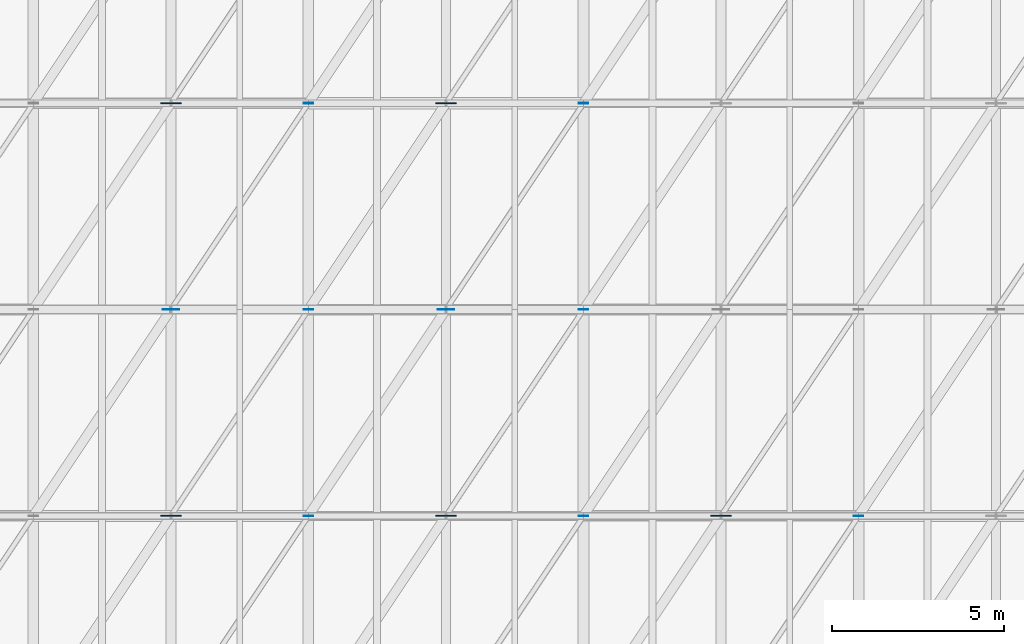
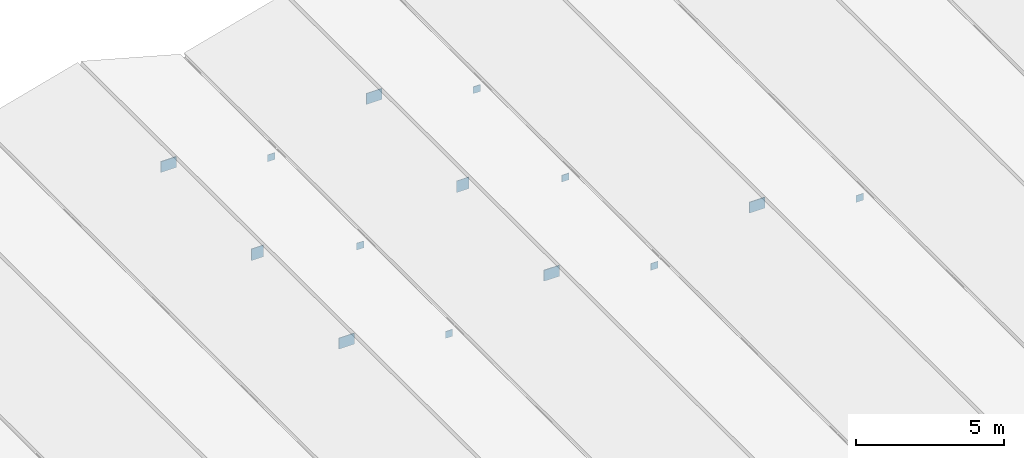
# One storey, part 21 of 27: 14 plates.
"""IFC4 building model written with IfcOpenShell, lengths in metres."""

from ifc_helpers import new_model, si_unit, direction, frame, origin, origin_2d, place, context, subcontext, project, spatial, rectangle, extrude, material, layer, layer_set, type_object, element, save


model = new_model("IFC4")

# Units and contexts
model_context = context("Model", 3, precision=1e-05, world=origin(), true_north=direction((0.0, 1.0)))
body_context = subcontext(model_context, "Body", "Model", "MODEL_VIEW")
ifc_project = project(units=[si_unit("LENGTHUNIT", "METRE"), si_unit("AREAUNIT", "SQUARE_METRE"), si_unit("VOLUMEUNIT", "CUBIC_METRE"), si_unit("PLANEANGLEUNIT", "RADIAN"), si_unit("MASSUNIT", "GRAM", prefix="KILO")], contexts=[model_context])

# Site, building, storey
site_placement = place(None, origin())
site = spatial("IfcSite", under=ifc_project, at=site_placement, CompositionType="ELEMENT")
building_placement = place(site_placement, origin())
building = spatial("IfcBuilding", under=site, at=building_placement, Name="Verrall Gate Interchange", CompositionType="ELEMENT")
storey_placement = place(building_placement, frame((0.0, 0.0, 32.800048828125)))
storey = spatial("IfcBuildingStorey", under=building, at=storey_placement, Name="RF", CompositionType="ELEMENT", Elevation=32.800048828125)

# Plates
ifc_material_1 = material(Name="Structural Steel CSA G40.21 350WT Cat 4", Category="steel")
ifc_layer_1 = layer(ifc_material_1, 0.02001953125)
ifc_layer_set_1 = layer_set([ifc_layer_1], Name="Structural Steel CSA G40.21 350WT Cat 4")
plate_type_1 = type_object("IfcPlateType", Name="GP-01 Gusset Plate 20", PredefinedType="SHEET", material=ifc_layer_set_1)
plate_1_placement = place(storey_placement, frame((72.0, 36.0, -15.9482421875), z_axis=(0.0, 0.0, 1.0), x_axis=(1.0, 0.0, 0.0)))
element("IfcPlate", 1, at=plate_1_placement, inside=storey, type_object=plate_type_1, Name="Folded-Plate Ridge Gusset Node KN-R5-4", PredefinedType="SHEET", context=body_context, shape_type="SweptSolid", body=[
    extrude(rectangle(XDim=0.47998046875, YDim=0.02001953125, at=origin_2d()), origin(), (0.0, 0.0, 1.0), 0.47998046875),
])
plate_2_placement = place(storey_placement, frame((76.0, 30.0, -16.9482421875), z_axis=(0.0, 0.0, 1.0), x_axis=(1.0, 0.0, 0.0)))
element("IfcPlate", 2, at=plate_2_placement, inside=storey, type_object=plate_type_1, Name="Folded-Plate Valley Gusset Node KN-V6-0-3", PredefinedType="SHEET", context=body_context, shape_type="SweptSolid", body=[
    extrude(rectangle(XDim=0.280029296875, YDim=0.02001953125, at=origin_2d()), origin(), (0.0, 0.0, 1.0), 0.280029296875),
])
plate_3_placement = place(storey_placement, frame((80.0, 36.0, -15.9482421875), z_axis=(0.0, 0.0, 1.0), x_axis=(1.0, 0.0, 0.0)))
element("IfcPlate", 3, at=plate_3_placement, inside=storey, type_object=plate_type_1, Name="Folded-Plate Ridge Gusset Node KN-R6-4", PredefinedType="SHEET", context=body_context, shape_type="SweptSolid", body=[
    extrude(rectangle(XDim=0.47998046875, YDim=0.02001953125, at=origin_2d()), origin(), (0.0, 0.0, 1.0), 0.47998046875),
])
for number, where, z_axis, x_axis, name in (
    (4, (76.0, 36.0, -16.9482421875), (0.0, 0.0, 1.0), (1.0, 0.0, 0.0), "Folded-Plate Valley Gusset Node KN-V6-0-4"),
    (5, (76.0, 42.0, -16.9482421875), (0.0, 0.0, 1.0), (1.0, 0.0, 0.0), "Folded-Plate Valley Gusset Node KN-V6-0-5"),
    (6, (84.0, 30.0, -16.9482421875), (0.0, 0.0, 1.0), (1.0, 0.0, 0.0), "Folded-Plate Valley Gusset Node KN-V7-0-3"),
    (7, (84.0, 36.0, -16.9482421875), (0.0, 0.0, 1.0), (1.0, 0.0, 0.0), "Folded-Plate Valley Gusset Node KN-V7-0-4"),
    (8, (84.0, 42.0, -16.9482421875), (0.0, 0.0, 1.0), (1.0, 0.0, 0.0), "Folded-Plate Valley Gusset Node KN-V7-0-5"),
    (9, (92.0, 30.0, -16.9482421875), (0.0, 0.0, 1.0), (1.0, 0.0, 0.0), "Folded-Plate Valley Gusset Node KN-V8-0-3"),
):
    element("IfcPlate", number, at=place(storey_placement, frame(where, z_axis=z_axis, x_axis=x_axis)), inside=storey, type_object=plate_type_1, Name=name, PredefinedType="SHEET", context=body_context, shape_type="SweptSolid", body=[
        extrude(rectangle(XDim=0.280029296875, YDim=0.02001953125, at=origin_2d()), origin(), (0.0, 0.0, 1.0), 0.280029296875),
    ])
ifc_material_2 = material(Name="Structural Steel CSA G40.21 350WT Cat 4", Category="steel")
ifc_layer_2 = layer(ifc_material_2, 0.030029296875)
ifc_layer_set_2 = layer_set([ifc_layer_2], Name="Structural Steel CSA G40.21 350WT Cat 4")
plate_type_2 = type_object("IfcPlateType", Name="GP-02 Gusset Plate 30", PredefinedType="SHEET", material=ifc_layer_set_2)
for number, where, z_axis, x_axis, name in (
    (10, (72.0, 30.0, -15.93310546875), (0.0, 0.0, 1.0), (1.0, 0.0, 0.0), "Folded-Plate Ridge Gusset Node KN-R5-3"),
    (11, (72.0, 42.0, -15.93310546875), (0.0, 0.0, 1.0), (1.0, 0.0, 0.0), "Folded-Plate Ridge Gusset Node KN-R5-5"),
    (12, (80.0, 30.0, -15.93310546875), (0.0, 0.0, 1.0), (1.0, 0.0, 0.0), "Folded-Plate Ridge Gusset Node KN-R6-3"),
    (13, (80.0, 42.0, -15.93310546875), (0.0, 0.0, 1.0), (1.0, 0.0, 0.0), "Folded-Plate Ridge Gusset Node KN-R6-5"),
    (14, (88.0, 30.0, -15.93310546875), (0.0, 0.0, 1.0), (1.0, 0.0, 0.0), "Folded-Plate Ridge Gusset Node KN-R7-3"),
):
    element("IfcPlate", number, at=place(storey_placement, frame(where, z_axis=z_axis, x_axis=x_axis)), inside=storey, type_object=plate_type_2, Name=name, PredefinedType="SHEET", context=body_context, shape_type="SweptSolid", body=[
        extrude(rectangle(XDim=0.60009765625, YDim=0.030029296875, at=origin_2d()), origin(), (0.0, 0.0, 1.0), 0.449951171875),
    ])

save(model, "model.ifc")
